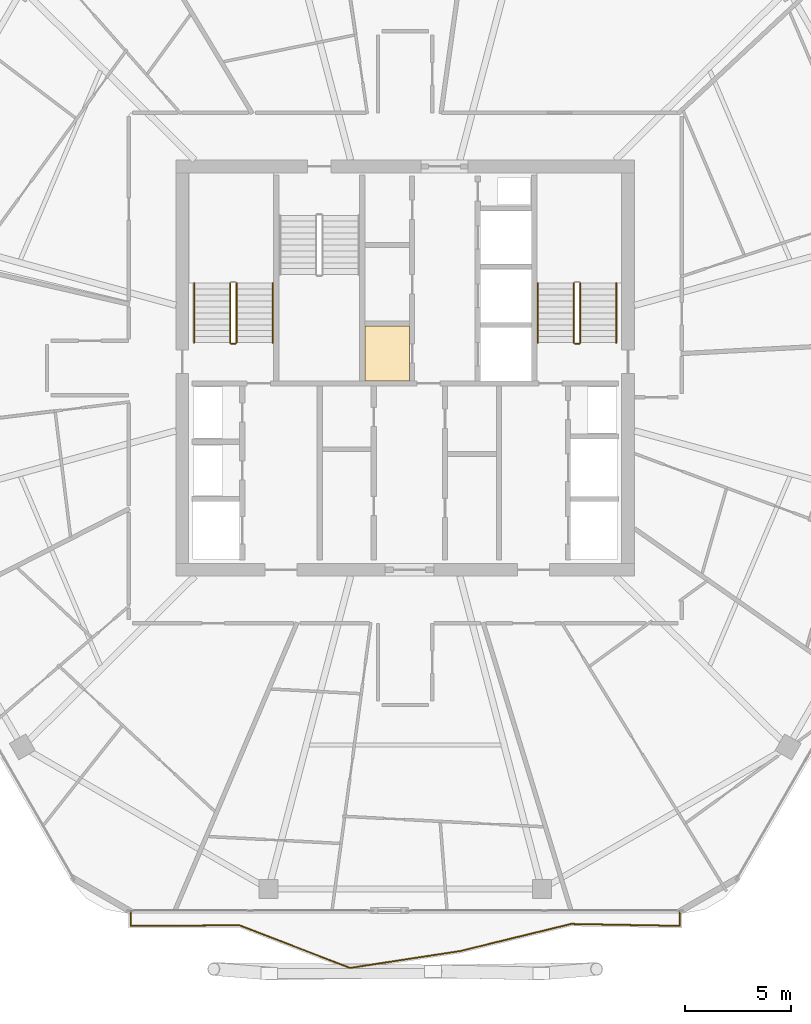
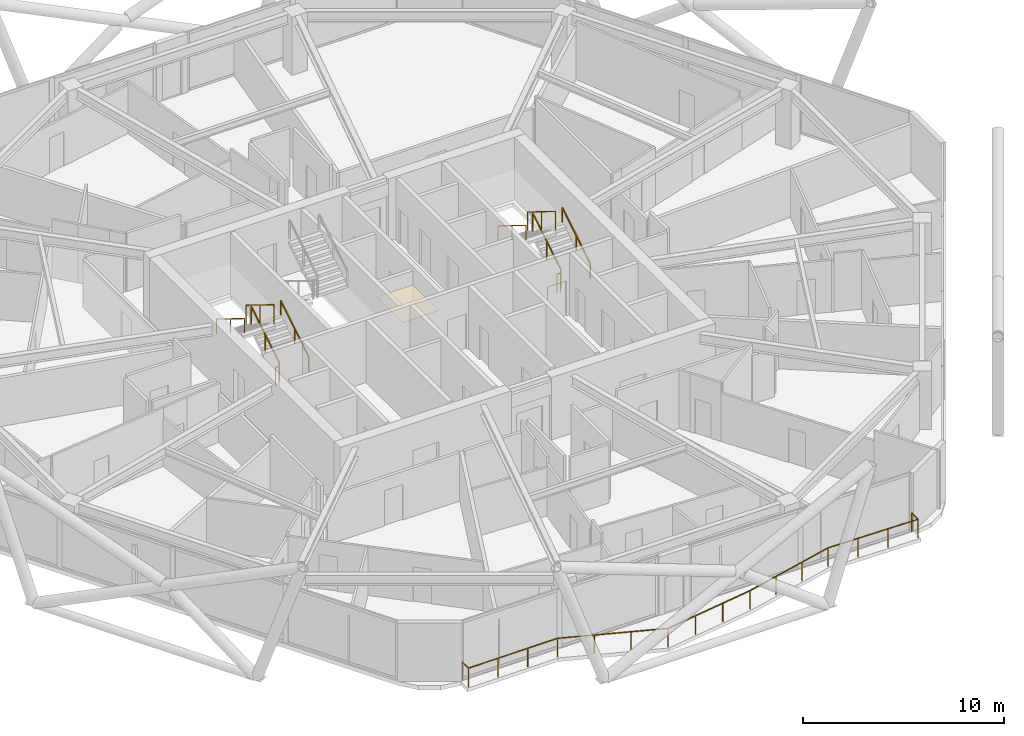
# One storey, part 26 of 28: 11 railings, 1 covering.
"""IFC4 building model written with IfcOpenShell, lengths in metres."""

import ifcopenshell
import ifcopenshell.guid

model = None  # the IFC model being written
_history = None  # IfcOwnerHistory: only IFC2X3 demands one
_inside = {}  # id of a spatial element -> (the spatial element, [elements in it])
_under = {}  # id of a project, library or spatial element -> (it, [spatial elements below it])
_declared = {}  # id of a project -> (the project, [libraries it declares])
_typed = {}  # id of a type object -> (the type object, [elements of that type])
_made_of = {}  # id of a material, layer set ... -> (it, [elements and type objects made of it])


def new_model(schema):
    """Start an empty IFC model of exactly this schema.

    Asked for "IFC4X3", IfcOpenShell would pick the latest addendum, in which some entities
    have other attributes; the version numbers below select the first issue.
    IFC2X3 requires an IfcOwnerHistory on every rooted entity: one is made here for all.
    """
    global model, _history
    if schema == "IFC4X3":
        model = ifcopenshell.file(schema_version=(4, 3, 0, 0))
    else:
        model = ifcopenshell.file(schema=schema)
    _inside.clear()
    _under.clear()
    _declared.clear()
    _typed.clear()
    _made_of.clear()
    _history = None
    if model.schema == "IFC2X3":
        org = make("IfcOrganization", Name="unknown")
        user = make(
            "IfcPersonAndOrganization",
            ThePerson=make("IfcPerson", FamilyName="unknown"),
            TheOrganization=org,
        )
        app = make(
            "IfcApplication",
            ApplicationDeveloper=org,
            Version="unknown",
            ApplicationFullName="unknown",
            ApplicationIdentifier="unknown",
        )
        _history = make(
            "IfcOwnerHistory",
            OwningUser=user,
            OwningApplication=app,
            ChangeAction="ADDED",
            CreationDate=0,
        )
    return model


def make(cls, **values):
    """One entity of the class cls with the attributes given. An attribute that is None is left unset."""
    return model.create_entity(
        cls, **{name: value for name, value in values.items() if value is not None}
    )


def rooted(cls, **values):
    """An entity with a GlobalId (a new one), such as an element, a storey or a relation."""
    return make(cls, GlobalId=ifcopenshell.guid.new(), OwnerHistory=_history, **values)


def si_unit(unit_type, name, prefix=None):
    """IfcSIUnit, for example si_unit("LENGTHUNIT", "METRE", prefix="MILLI")."""
    return make("IfcSIUnit", UnitType=unit_type, Prefix=prefix, Name=name)


def assignment(units):
    """IfcUnitAssignment: the units of a project."""
    return None if units is None else make("IfcUnitAssignment", Units=units)


def point(xyz):
    """IfcCartesianPoint."""
    return None if xyz is None else make("IfcCartesianPoint", Coordinates=xyz)


def direction(xyz):
    """IfcDirection."""
    return None if xyz is None else make("IfcDirection", DirectionRatios=xyz)


def frame(location, z_axis=None, x_axis=None):
    """IfcAxis2Placement3D, a coordinate frame: its origin and axes. An axis left out is left unset."""
    return make(
        "IfcAxis2Placement3D",
        Location=point(location),
        Axis=direction(z_axis),
        RefDirection=direction(x_axis),
    )


def frame_2d(location, x_axis=None):
    """IfcAxis2Placement2D, a coordinate frame in the plane: its origin and x axis."""
    return make(
        "IfcAxis2Placement2D", Location=point(location), RefDirection=direction(x_axis)
    )


def origin():
    """The frame at (0, 0, 0) with its axes left unset."""
    return frame((0.0, 0.0, 0.0))


def origin_2d():
    """The frame at (0, 0) in the plane with its x axis left unset."""
    return frame_2d((0.0, 0.0))


def place(relative_to, where):
    """IfcLocalPlacement: puts the frame where relative to a parent placement (None: the world)."""
    return make(
        "IfcLocalPlacement", PlacementRelTo=relative_to, RelativePlacement=where
    )


def context(
    kind, dimensions, precision=None, world=None, true_north=None, identifier=None
):
    """IfcGeometricRepresentationContext, for example the 3D "Model" context."""
    return make(
        "IfcGeometricRepresentationContext",
        ContextIdentifier=identifier,
        ContextType=kind,
        CoordinateSpaceDimension=dimensions,
        Precision=precision,
        WorldCoordinateSystem=world,
        TrueNorth=true_north,
    )


def subcontext(parent, identifier, kind, view, scale=None):
    """IfcGeometricRepresentationSubContext, for example "Body" below "Model"."""
    return make(
        "IfcGeometricRepresentationSubContext",
        ContextIdentifier=identifier,
        ContextType=kind,
        ParentContext=parent,
        TargetScale=scale,
        TargetView=view,
    )


def project(units=None, contexts=None):
    """IfcProject with its units and contexts."""
    return rooted(
        "IfcProject",
        Name="project",
        RepresentationContexts=contexts,
        UnitsInContext=assignment(units),
    )


def spatial(cls, under=None, at=None, **own):
    """A site, building, storey or space (cls), placed at a placement, below another one or the project."""
    s = rooted(cls, ObjectPlacement=at, **own)
    if under is not None:
        _under.setdefault(under.id(), (under, []))[1].append(s)
    return s


def polyline(points):
    """IfcPolyline through the points."""
    return make("IfcPolyline", Points=[point(p) for p in points])


def profile(cls, at=None, kind="AREA", **sizes):
    """A parametric profile (cls). Its sizes go by their IFC names, for example OverallWidth=200.0."""
    return make(cls, ProfileType=kind, Position=at, **sizes)


def rectangle(**sizes):
    """IfcRectangleProfileDef."""
    return profile("IfcRectangleProfileDef", **sizes)


def outline(outer, holes=None, kind="AREA"):
    """IfcArbitraryClosedProfileDef: a profile drawn as a closed curve; with holes, ...WithVoids."""
    if holes is None:
        return make("IfcArbitraryClosedProfileDef", ProfileType=kind, OuterCurve=outer)
    return make(
        "IfcArbitraryProfileDefWithVoids",
        ProfileType=kind,
        OuterCurve=outer,
        InnerCurves=holes,
    )


def extrude(swept, where, along, depth):
    """IfcExtrudedAreaSolid: the profile swept, set in the frame where, extruded along a direction by depth."""
    return make(
        "IfcExtrudedAreaSolid",
        SweptArea=swept,
        Position=where,
        ExtrudedDirection=direction(along),
        Depth=depth,
    )


def shape(context_of_items, identifier, shape_type, items):
    """IfcShapeRepresentation: the items that make up one representation, for example the "Body"."""
    return make(
        "IfcShapeRepresentation",
        ContextOfItems=context_of_items,
        RepresentationIdentifier=identifier,
        RepresentationType=shape_type,
        Items=items,
    )


def material(Name=None, Category=None):
    """IfcMaterial."""
    return make("IfcMaterial", Name=Name, Category=Category)


def layer(
    of_material, thickness, ventilated=None, Name=None, Category=None, Priority=None
):
    """IfcMaterialLayer: one layer of a wall or slab, of a material (None: an air gap)."""
    return make(
        "IfcMaterialLayer",
        Material=of_material,
        LayerThickness=thickness,
        IsVentilated=ventilated,
        Name=Name,
        Category=Category,
        Priority=Priority,
    )


def layer_set(layers, Name=None):
    """IfcMaterialLayerSet."""
    return make("IfcMaterialLayerSet", MaterialLayers=layers, LayerSetName=Name)


def made_of(thing, what):
    """Note that an element or type object is made of a material, layer set ...; save() writes the relation."""
    if what is not None:
        _made_of.setdefault(what.id(), (what, []))[1].append(thing)
    return thing


def type_object(cls, material=None, **own):
    """A type object (cls), such as IfcWallType, which elements share."""
    return made_of(rooted(cls, **own), material)


def element(
    cls,
    number,
    at=None,
    inside=None,
    cuts=None,
    type_object=None,
    material=None,
    context=None,
    identifier="Body",
    shape_type=None,
    held_by="IfcProductDefinitionShape",
    body=None,
    shapes=None,
    **own,
):
    """One element of the class cls, such as IfcWall. Its Tag is "e" and its number.

    at: its placement. inside: the storey or other place that contains it. cuts: it is an
    opening in that element (IfcRelVoidsElement). A single representation is given by context,
    identifier, shape_type and body (its items); several are given by shapes. held_by: the class
    of the entity that holds the representations. save() writes the other relations.
    """
    e = rooted(cls, Tag="e%d" % number, ObjectPlacement=at, **own)
    if body is not None:
        shapes = [shape(context, identifier, shape_type, body)]
    if shapes is not None:
        e.Representation = make(held_by, Representations=shapes)
    if inside is not None:
        _inside.setdefault(inside.id(), (inside, []))[1].append(e)
    if cuts is not None:
        rooted(
            "IfcRelVoidsElement", RelatingBuildingElement=cuts, RelatedOpeningElement=e
        )
    if type_object is not None:
        _typed.setdefault(type_object.id(), (type_object, []))[1].append(e)
    return made_of(e, material)


def aggregate(whole, parts):
    """IfcRelAggregates: a whole, such as a stair, and the parts it consists of."""
    return rooted("IfcRelAggregates", RelatingObject=whole, RelatedObjects=parts)


def save(model, path):
    """Write the relations noted so far, then the file.

    IfcRelAggregates (storeys below a building ...), IfcRelContainedInSpatialStructure (elements
    in a storey), IfcRelDefinesByType, IfcRelAssociatesMaterial and IfcRelDeclares: one each for
    every whole, place, type object, material and project.
    """
    for whole, parts in _under.values():
        aggregate(whole, parts)
    for where, things in _inside.values():
        rooted(
            "IfcRelContainedInSpatialStructure",
            RelatedElements=things,
            RelatingStructure=where,
        )
    for kind, things in _typed.values():
        rooted("IfcRelDefinesByType", RelatedObjects=things, RelatingType=kind)
    for what, things in _made_of.values():
        rooted("IfcRelAssociatesMaterial", RelatedObjects=things, RelatingMaterial=what)
    for by, libraries in _declared.values():
        rooted("IfcRelDeclares", RelatingContext=by, RelatedDefinitions=libraries)
    model.write(path)


model = new_model("IFC4")

# Units and contexts
model_context = context("Model", 3, precision=1e-05, world=origin(), true_north=direction((0.0, 1.0)))
body_context = subcontext(model_context, "Body", "Model", "MODEL_VIEW")
ifc_project = project(units=[si_unit("LENGTHUNIT", "METRE"), si_unit("AREAUNIT", "SQUARE_METRE"), si_unit("VOLUMEUNIT", "CUBIC_METRE"), si_unit("PLANEANGLEUNIT", "RADIAN"), si_unit("MASSUNIT", "GRAM", prefix="KILO")], contexts=[model_context])

# Site, building, storey
site_placement = place(None, origin())
site = spatial("IfcSite", under=ifc_project, at=site_placement, CompositionType="ELEMENT")
building_placement = place(site_placement, origin())
building = spatial("IfcBuilding", under=site, at=building_placement, Name="Zuhravey Tower", CompositionType="ELEMENT")
storey_placement = place(building_placement, frame((0.0, 0.0, 254.0)))
storey = spatial("IfcBuildingStorey", under=building, at=storey_placement, Name="L64", CompositionType="ELEMENT", Elevation=254.0)

# Railing
ifc_material_1 = material(Name="Stainless steel 316 and laminated glass", Category="steel")
railing_type_1 = type_object("IfcRailingType", Name="Balcony & Terrace Guardrail 1150", PredefinedType="BALUSTRADE", material=ifc_material_1)
railing_1_placement = place(storey_placement, frame((48.941650390625, 6.351318359375, 0.0)))
element("IfcRailing", 1, at=railing_1_placement, inside=storey, type_object=railing_type_1, Name="L64 Face 5 Wave Balcony Guardrail GR1", PredefinedType="BALUSTRADE", context=body_context, shape_type="SweptSolid", body=[
    extrude(rectangle(XDim=0.048095703125, YDim=0.048095703125, at=origin_2d()), frame((0.0, -0.001953125, 1.1259765625), z_axis=(0.0, -1.0, 0.0), x_axis=(1.0, 0.0, 0.0)), (0.0, 0.0, 1.0), 0.63427734375),
    extrude(rectangle(XDim=0.048095703125, YDim=0.048095703125, at=origin_2d()), frame((-0.001953125, -0.63818359375, 1.1259765625), z_axis=(-0.999843198682, 0.017708135113, 0.0), x_axis=(-0.017708135113, -0.999843198682, 0.0)), (0.0, 0.0, 1.0), 5.124755859375),
    extrude(rectangle(XDim=0.048095703125, YDim=0.048095703125, at=origin_2d()), frame((-5.1298828125, -0.5478515625, 1.1259765625), z_axis=(-0.971444592589, -0.237266524249, 0.0), x_axis=(0.237266524249, -0.971444592589, 0.0)), (0.0, 0.0, 1.0), 5.37451171875),
    extrude(rectangle(XDim=0.048095703125, YDim=0.048095703125, at=origin_2d()), frame((-10.354736328125, -1.82373046875, 1.1259765625), z_axis=(-0.988392667139, -0.151920819989, 0.0), x_axis=(0.151920819989, -0.988392667139, 0.0)), (0.0, 0.0, 1.0), 5.242919921875),
    extrude(rectangle(XDim=0.048095703125, YDim=0.048095703125, at=origin_2d()), frame((-15.540771484375, -2.619873046875, 1.1259765625), z_axis=(-0.93303647053, 0.359781801459, 0.0), x_axis=(-0.359781801459, -0.93303647053, 0.0)), (0.0, 0.0, 1.0), 5.579345703125),
    extrude(rectangle(XDim=0.048095703125, YDim=0.048095703125, at=origin_2d()), frame((-20.750244140625, -0.61181640625, 1.1259765625), z_axis=(-0.999985568381, -0.005372432331, 0.0), x_axis=(0.005372432331, -0.999985568381, 0.0)), (0.0, 0.0, 1.0), 5.131103515625),
    extrude(rectangle(XDim=0.048095703125, YDim=0.048095703125, at=origin_2d()), frame((-25.88330078125, -0.637451171875, 1.1259765625), z_axis=(0.0, 1.0, 0.0), x_axis=(-1.0, 0.0, 0.0)), (0.0, 0.0, 1.0), 0.635498046875),
    extrude(rectangle(XDim=0.0419921875, YDim=0.0419921875, at=origin_2d()), origin(), (0.0, 0.0, 1.0), 1.099853515625),
    extrude(rectangle(XDim=0.0419921875, YDim=0.0419921875, at=origin_2d()), frame((0.0, -0.63818359375, 0.0)), (0.0, 0.0, 1.0), 1.099853515625),
    extrude(rectangle(XDim=0.0419921875, YDim=0.0419921875, at=origin_2d()), frame((-1.709228515625, -0.60791015625, 0.0)), (0.0, 0.0, 1.0), 1.099853515625),
    extrude(rectangle(XDim=0.0419921875, YDim=0.0419921875, at=origin_2d()), frame((-3.418701171875, -0.57763671875, 0.0)), (0.0, 0.0, 1.0), 1.099853515625),
    extrude(rectangle(XDim=0.0419921875, YDim=0.0419921875, at=origin_2d()), frame((-5.1279296875, -0.54736328125, 0.0)), (0.0, 0.0, 1.0), 1.099853515625),
    extrude(rectangle(XDim=0.0419921875, YDim=0.0419921875, at=origin_2d()), frame((-6.86962890625, -0.97265625, 0.0)), (0.0, 0.0, 1.0), 1.099853515625),
    extrude(rectangle(XDim=0.0419921875, YDim=0.0419921875, at=origin_2d()), frame((-8.611083984375, -1.398193359375, 0.0)), (0.0, 0.0, 1.0), 1.099853515625),
    extrude(rectangle(XDim=0.0419921875, YDim=0.0419921875, at=origin_2d()), frame((-10.352783203125, -1.823486328125, 0.0)), (0.0, 0.0, 1.0), 1.099853515625),
    extrude(rectangle(XDim=0.0419921875, YDim=0.0419921875, at=origin_2d()), frame((-12.08154296875, -2.089111328125, 0.0)), (0.0, 0.0, 1.0), 1.099853515625),
    extrude(rectangle(XDim=0.0419921875, YDim=0.0419921875, at=origin_2d()), frame((-13.81005859375, -2.35498046875, 0.0)), (0.0, 0.0, 1.0), 1.099853515625),
    extrude(rectangle(XDim=0.0419921875, YDim=0.0419921875, at=origin_2d()), frame((-15.538818359375, -2.62060546875, 0.0)), (0.0, 0.0, 1.0), 1.099853515625),
    extrude(rectangle(XDim=0.0419921875, YDim=0.0419921875, at=origin_2d()), frame((-17.275390625, -1.950927734375, 0.0)), (0.0, 0.0, 1.0), 1.099853515625),
    extrude(rectangle(XDim=0.0419921875, YDim=0.0419921875, at=origin_2d()), frame((-19.01171875, -1.281494140625, 0.0)), (0.0, 0.0, 1.0), 1.099853515625),
    extrude(rectangle(XDim=0.0419921875, YDim=0.0419921875, at=origin_2d()), frame((-20.748291015625, -0.61181640625, 0.0)), (0.0, 0.0, 1.0), 1.099853515625),
    extrude(rectangle(XDim=0.0419921875, YDim=0.0419921875, at=origin_2d()), frame((-22.4599609375, -0.62109375, 0.0)), (0.0, 0.0, 1.0), 1.099853515625),
    extrude(rectangle(XDim=0.0419921875, YDim=0.0419921875, at=origin_2d()), frame((-24.171630859375, -0.630126953125, 0.0)), (0.0, 0.0, 1.0), 1.099853515625),
    extrude(rectangle(XDim=0.0419921875, YDim=0.0419921875, at=origin_2d()), frame((-25.88330078125, -0.639404296875, 0.0)), (0.0, 0.0, 1.0), 1.099853515625),
    extrude(rectangle(XDim=0.0419921875, YDim=0.0419921875, at=origin_2d()), frame((-25.88330078125, 0.0, 0.0)), (0.0, 0.0, 1.0), 1.099853515625),
])

# Covering
ifc_material_2 = material(Name="Moisture-resistant gypsum ceiling board")
ifc_layer = layer(ifc_material_2, 0.02001953125)
ifc_layer_set = layer_set([ifc_layer], Name="Moisture-resistant gypsum ceiling board")
covering_type = type_object("IfcCoveringType", Name="Moisture-Resistant Ceiling", PredefinedType="CEILING", material=ifc_layer_set)
covering_placement = place(storey_placement, frame((0.0, 0.0, 2.68994140625)))
element("IfcCovering", 2, at=covering_placement, inside=storey, type_object=covering_type, Name="L64 Wet-Room Ceiling CLG2", PredefinedType="CEILING", context=body_context, shape_type="SweptSolid", body=[
    extrude(outline(polyline([(36.199951171875, 31.39990234375), (36.199951171875, 33.97998046875), (34.10009765625, 33.97998046875), (34.10009765625, 31.39990234375), (36.199951171875, 31.39990234375)])), origin(), (0.0, 0.0, 1.0), 0.02001953125),
])

# Railings
ifc_material_3 = material(Name="Brushed stainless steel", Category="steel")
railing_type_2 = type_object("IfcRailingType", Name="Stair Wall Handrail 900", PredefinedType="HANDRAIL", material=ifc_material_3)
railing_2_placement = place(storey_placement, frame((29.75, 33.199951171875, 0.172607421875)))
element("IfcRailing", 3, at=railing_2_placement, inside=storey, type_object=railing_type_2, Name="L64 ST1 stair handrail 1", PredefinedType="HANDRAIL", context=body_context, shape_type="SweptSolid", body=[
    extrude(rectangle(XDim=0.048095703125, YDim=0.048095703125, at=origin_2d()), frame((0.0, 0.001708984375, 0.876953125), z_axis=(0.0, 0.851089632645, 0.525020415988), x_axis=(-1.0, 0.0, 0.0)), (0.0, 0.0, 1.0), 3.285888671875),
    extrude(rectangle(XDim=0.0419921875, YDim=0.0419921875, at=origin_2d()), origin(), (0.0, 0.0, 1.0), 0.849853515625),
    extrude(rectangle(XDim=0.0419921875, YDim=0.0419921875, at=origin_2d()), frame((0.0, 1.39990234375, 0.86376953125)), (0.0, 0.0, 1.0), 0.849853515625),
    extrude(rectangle(XDim=0.0419921875, YDim=0.0419921875, at=origin_2d()), frame((0.0, 2.800048828125, 1.727294921875)), (0.0, 0.0, 1.0), 0.849853515625),
])
railing_3_placement = place(storey_placement, frame((26.050048828125, 36.0, 2.07275390625)))
element("IfcRailing", 4, at=railing_3_placement, inside=storey, type_object=railing_type_2, Name="L64 ST1 stair handrail 2", PredefinedType="HANDRAIL", context=body_context, shape_type="SweptSolid", body=[
    extrude(rectangle(XDim=0.048095703125, YDim=0.048095703125, at=origin_2d()), frame((0.0, -0.001708984375, 0.876953125), z_axis=(0.0, -0.851089632645, 0.525020415988), x_axis=(1.0, 0.0, 0.0)), (0.0, 0.0, 1.0), 3.285888671875),
    extrude(rectangle(XDim=0.0419921875, YDim=0.0419921875, at=origin_2d()), origin(), (0.0, 0.0, 1.0), 0.849853515625),
    extrude(rectangle(XDim=0.0419921875, YDim=0.0419921875, at=origin_2d()), frame((0.0, -1.39990234375, 0.86376953125)), (0.0, 0.0, 1.0), 0.849853515625),
    extrude(rectangle(XDim=0.0419921875, YDim=0.0419921875, at=origin_2d()), frame((0.0, -2.800048828125, 1.727294921875)), (0.0, 0.0, 1.0), 0.849853515625),
])
railing_4_placement = place(storey_placement, frame((45.949951171875, 33.199951171875, 0.172607421875)))
element("IfcRailing", 5, at=railing_4_placement, inside=storey, type_object=railing_type_2, Name="L64 ST2 stair handrail 1", PredefinedType="HANDRAIL", context=body_context, shape_type="SweptSolid", body=[
    extrude(rectangle(XDim=0.048095703125, YDim=0.048095703125, at=origin_2d()), frame((0.0, 0.001708984375, 0.876953125), z_axis=(0.0, 0.851089632645, 0.525020415988), x_axis=(-1.0, 0.0, 0.0)), (0.0, 0.0, 1.0), 3.285888671875),
    extrude(rectangle(XDim=0.0419921875, YDim=0.0419921875, at=origin_2d()), origin(), (0.0, 0.0, 1.0), 0.849853515625),
    extrude(rectangle(XDim=0.0419921875, YDim=0.0419921875, at=origin_2d()), frame((0.0, 1.39990234375, 0.86376953125)), (0.0, 0.0, 1.0), 0.849853515625),
    extrude(rectangle(XDim=0.0419921875, YDim=0.0419921875, at=origin_2d()), frame((0.0, 2.800048828125, 1.727294921875)), (0.0, 0.0, 1.0), 0.849853515625),
])
railing_5_placement = place(storey_placement, frame((42.25, 36.0, 2.07275390625)))
element("IfcRailing", 6, at=railing_5_placement, inside=storey, type_object=railing_type_2, Name="L64 ST2 stair handrail 2", PredefinedType="HANDRAIL", context=body_context, shape_type="SweptSolid", body=[
    extrude(rectangle(XDim=0.048095703125, YDim=0.048095703125, at=origin_2d()), frame((0.0, -0.001708984375, 0.876953125), z_axis=(0.0, -0.851089632645, 0.525020415988), x_axis=(1.0, 0.0, 0.0)), (0.0, 0.0, 1.0), 3.285888671875),
    extrude(rectangle(XDim=0.0419921875, YDim=0.0419921875, at=origin_2d()), origin(), (0.0, 0.0, 1.0), 0.849853515625),
    extrude(rectangle(XDim=0.0419921875, YDim=0.0419921875, at=origin_2d()), frame((0.0, -1.39990234375, 0.86376953125)), (0.0, 0.0, 1.0), 0.849853515625),
    extrude(rectangle(XDim=0.0419921875, YDim=0.0419921875, at=origin_2d()), frame((0.0, -2.800048828125, 1.727294921875)), (0.0, 0.0, 1.0), 0.849853515625),
])
ifc_material_4 = material(Name="Painted tubular steel", Category="steel")
railing_type_3 = type_object("IfcRailingType", Name="Stair Well Guardrail 1150", PredefinedType="GUARDRAIL", material=ifc_material_4)
railing_6_placement = place(storey_placement, frame((28.050048828125, 33.199951171875, 0.172607421875)))
element("IfcRailing", 7, at=railing_6_placement, inside=storey, type_object=railing_type_3, Name="L64 ST1 stair guard 1", PredefinedType="GUARDRAIL", context=body_context, shape_type="SweptSolid", body=[
    extrude(rectangle(XDim=0.048095703125, YDim=0.048095703125, at=origin_2d()), frame((0.0, 0.001708984375, 1.126953125), z_axis=(0.0, 0.851089632645, 0.525020415988), x_axis=(-1.0, 0.0, 0.0)), (0.0, 0.0, 1.0), 3.285888671875),
    extrude(rectangle(XDim=0.0419921875, YDim=0.0419921875, at=origin_2d()), origin(), (0.0, 0.0, 1.0), 1.099853515625),
    extrude(rectangle(XDim=0.0419921875, YDim=0.0419921875, at=origin_2d()), frame((0.0, 1.39990234375, 0.86376953125)), (0.0, 0.0, 1.0), 1.099853515625),
    extrude(rectangle(XDim=0.0419921875, YDim=0.0419921875, at=origin_2d()), frame((0.0, 2.800048828125, 1.727294921875)), (0.0, 0.0, 1.0), 1.099853515625),
])
railing_7_placement = place(storey_placement, frame((27.75, 36.0, 2.07275390625)))
element("IfcRailing", 8, at=railing_7_placement, inside=storey, type_object=railing_type_3, Name="L64 ST1 stair guard 3", PredefinedType="GUARDRAIL", context=body_context, shape_type="SweptSolid", body=[
    extrude(rectangle(XDim=0.048095703125, YDim=0.048095703125, at=origin_2d()), frame((0.0, -0.001708984375, 1.126953125), z_axis=(0.0, -0.851089632645, 0.525020415988), x_axis=(1.0, 0.0, 0.0)), (0.0, 0.0, 1.0), 3.285888671875),
    extrude(rectangle(XDim=0.0419921875, YDim=0.0419921875, at=origin_2d()), origin(), (0.0, 0.0, 1.0), 1.099853515625),
    extrude(rectangle(XDim=0.0419921875, YDim=0.0419921875, at=origin_2d()), frame((0.0, -1.39990234375, 0.86376953125)), (0.0, 0.0, 1.0), 1.099853515625),
    extrude(rectangle(XDim=0.0419921875, YDim=0.0419921875, at=origin_2d()), frame((0.0, -2.800048828125, 1.727294921875)), (0.0, 0.0, 1.0), 1.099853515625),
])
railing_8_placement = place(storey_placement, frame((28.0, 33.14990234375, 0.0)))
element("IfcRailing", 9, at=railing_8_placement, inside=storey, type_object=railing_type_3, Name="L64 ST1 stair guard 4", PredefinedType="GUARDRAIL", context=body_context, shape_type="SweptSolid", body=[
    extrude(rectangle(XDim=0.048095703125, YDim=0.048095703125, at=origin_2d()), frame((-0.001953125, 0.0, 1.1259765625), z_axis=(-1.0, 0.0, 0.0), x_axis=(0.0, -1.0, 0.0)), (0.0, 0.0, 1.0), 0.196044921875),
    extrude(rectangle(XDim=0.0419921875, YDim=0.0419921875, at=origin_2d()), origin(), (0.0, 0.0, 1.0), 1.099853515625),
    extrude(rectangle(XDim=0.0419921875, YDim=0.0419921875, at=origin_2d()), frame((-0.199951171875, 0.0, 0.0)), (0.0, 0.0, 1.0), 1.099853515625),
])
railing_9_placement = place(storey_placement, frame((44.25, 33.199951171875, 0.172607421875)))
element("IfcRailing", 10, at=railing_9_placement, inside=storey, type_object=railing_type_3, Name="L64 ST2 stair guard 1", PredefinedType="GUARDRAIL", context=body_context, shape_type="SweptSolid", body=[
    extrude(rectangle(XDim=0.048095703125, YDim=0.048095703125, at=origin_2d()), frame((0.0, 0.001708984375, 1.126953125), z_axis=(0.0, 0.851089632645, 0.525020415988), x_axis=(-1.0, 0.0, 0.0)), (0.0, 0.0, 1.0), 3.285888671875),
    extrude(rectangle(XDim=0.0419921875, YDim=0.0419921875, at=origin_2d()), origin(), (0.0, 0.0, 1.0), 1.099853515625),
    extrude(rectangle(XDim=0.0419921875, YDim=0.0419921875, at=origin_2d()), frame((0.0, 1.39990234375, 0.86376953125)), (0.0, 0.0, 1.0), 1.099853515625),
    extrude(rectangle(XDim=0.0419921875, YDim=0.0419921875, at=origin_2d()), frame((0.0, 2.800048828125, 1.727294921875)), (0.0, 0.0, 1.0), 1.099853515625),
])
railing_10_placement = place(storey_placement, frame((43.949951171875, 36.0, 2.07275390625)))
element("IfcRailing", 11, at=railing_10_placement, inside=storey, type_object=railing_type_3, Name="L64 ST2 stair guard 3", PredefinedType="GUARDRAIL", context=body_context, shape_type="SweptSolid", body=[
    extrude(rectangle(XDim=0.048095703125, YDim=0.048095703125, at=origin_2d()), frame((0.0, -0.001708984375, 1.126953125), z_axis=(0.0, -0.851089632645, 0.525020415988), x_axis=(1.0, 0.0, 0.0)), (0.0, 0.0, 1.0), 3.285888671875),
    extrude(rectangle(XDim=0.0419921875, YDim=0.0419921875, at=origin_2d()), origin(), (0.0, 0.0, 1.0), 1.099853515625),
    extrude(rectangle(XDim=0.0419921875, YDim=0.0419921875, at=origin_2d()), frame((0.0, -1.39990234375, 0.86376953125)), (0.0, 0.0, 1.0), 1.099853515625),
    extrude(rectangle(XDim=0.0419921875, YDim=0.0419921875, at=origin_2d()), frame((0.0, -2.800048828125, 1.727294921875)), (0.0, 0.0, 1.0), 1.099853515625),
])
railing_11_placement = place(storey_placement, frame((44.199951171875, 33.14990234375, 0.0)))
element("IfcRailing", 12, at=railing_11_placement, inside=storey, type_object=railing_type_3, Name="L64 ST2 stair guard 4", PredefinedType="GUARDRAIL", context=body_context, shape_type="SweptSolid", body=[
    extrude(rectangle(XDim=0.048095703125, YDim=0.048095703125, at=origin_2d()), frame((-0.001953125, 0.0, 1.1259765625), z_axis=(-1.0, 0.0, 0.0), x_axis=(0.0, -1.0, 0.0)), (0.0, 0.0, 1.0), 0.196044921875),
    extrude(rectangle(XDim=0.0419921875, YDim=0.0419921875, at=origin_2d()), origin(), (0.0, 0.0, 1.0), 1.099853515625),
    extrude(rectangle(XDim=0.0419921875, YDim=0.0419921875, at=origin_2d()), frame((-0.199951171875, 0.0, 0.0)), (0.0, 0.0, 1.0), 1.099853515625),
])

save(model, "model.ifc")
